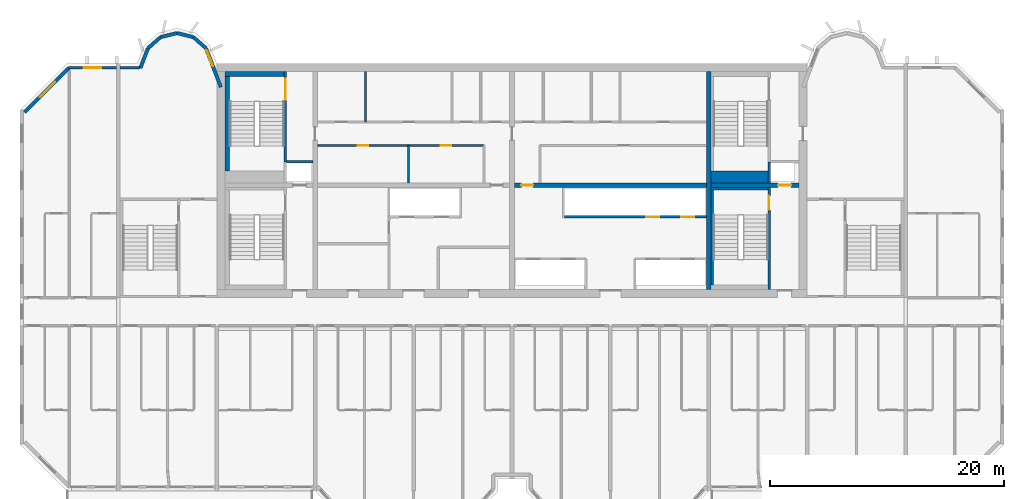
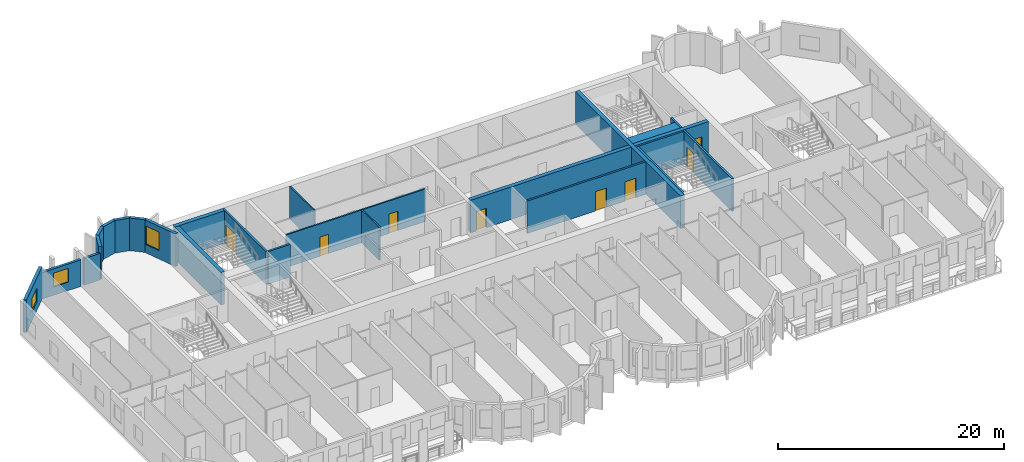
# One storey, part 7 of 13: 25 walls, 8 doors, 3 windows, 11 openings.
"""IFC4 building model written with IfcOpenShell, lengths in metres."""

from ifc_helpers import new_model, si_unit, direction, frame, frame_2d, origin, place, context, subcontext, project, spatial, rectangle, extrude, source, transform, mapped, material, layer, layer_set, type_object, element, fill, save


model = new_model("IFC4")

# Units and contexts
model_context = context("Model", 3, precision=1e-05, world=origin(), true_north=direction((0.0, 1.0)))
body_context = subcontext(model_context, "Body", "Model", "MODEL_VIEW")
ifc_project = project(units=[si_unit("LENGTHUNIT", "METRE"), si_unit("AREAUNIT", "SQUARE_METRE"), si_unit("VOLUMEUNIT", "CUBIC_METRE"), si_unit("PLANEANGLEUNIT", "RADIAN"), si_unit("MASSUNIT", "GRAM", prefix="KILO")], contexts=[model_context])

# Site, building, storey
site_placement = place(None, origin())
site = spatial("IfcSite", under=ifc_project, at=site_placement, CompositionType="ELEMENT")
building_placement = place(site_placement, origin())
building = spatial("IfcBuilding", under=site, at=building_placement, Name="Vanashikhar Sky Hotel", CompositionType="ELEMENT")
storey_placement = place(building_placement, frame((0.0, 0.0, 182.0)))
storey = spatial("IfcBuildingStorey", under=building, at=storey_placement, Name="L44", CompositionType="ELEMENT", Elevation=182.0)

# Wall
ifc_material_1 = material(Name="Concrete M60", Category="concrete")
ifc_layer_1 = layer(ifc_material_1, 0.39990234375)
ifc_layer_set_1 = layer_set([ifc_layer_1], Name="RC core inner wall 400 Concrete M60")
wall_type_1 = type_object("IfcWallType", Name="RC core inner wall 400 Concrete M60", PredefinedType="SHEAR", material=ifc_layer_set_1)
shared_shape_1 = source(origin(), body_context, "Body", "SweptSolid", [
    extrude(rectangle(XDim=18.60009765625, YDim=0.39990234375, at=frame_2d((9.300048828125, 0.0))), origin(), (0.0, 0.0, 1.0), 3.52001953125),
])
wall_1_placement = place(storey_placement, frame((67.199951171875, 22.699951171875, 0.0), z_axis=(0.0, 0.0, 1.0), x_axis=(0.0, 1.0, 0.0)))
element("IfcWall", 1, at=wall_1_placement, inside=storey, type_object=wall_type_1, Name="KW-L44-KX3", PredefinedType="SHEAR", context=body_context, shape_type="MappedRepresentation", body=[
    mapped(shared_shape_1, transform((0.0, 0.0, 0.0), scale=1.0)),
])

# Wall, opening, door
shared_shape_2 = source(origin(), body_context, "Body", "SweptSolid", [
    extrude(rectangle(XDim=7.5, YDim=0.39990234375, at=frame_2d((3.75, 0.0))), origin(), (0.0, 0.0, 1.0), 3.52001953125),
])
wall_2_placement = place(storey_placement, frame((67.39990234375, 31.60009765625, 0.0), z_axis=(0.0, 0.0, 1.0), x_axis=(1.0, 0.0, 0.0)))
wall_2 = element("IfcWall", 2, at=wall_2_placement, inside=storey, type_object=wall_type_1, Name="KW-L44-KY4", PredefinedType="SHEAR", context=body_context, shape_type="MappedRepresentation", body=[
    mapped(shared_shape_2, transform((0.0, 0.0, 0.0), scale=1.0)),
])
shared_shape_3 = source(origin(), body_context, "Body", "SweptSolid", [
    extrude(rectangle(XDim=1.10009765625, YDim=2.10009765625, at=frame_2d((0.550048828125, 1.050048828125))), frame((0.0, 0.2099609375, 0.0), z_axis=(0.0, -1.0, 0.0), x_axis=(1.0, 0.0, 0.0)), (0.0, 0.0, 1.0), 0.419921875),
])
opening_1_placement = place(wall_2_placement, frame((5.72509765625, 0.0, 0.0)))
opening_1 = element("IfcOpeningElement", 3, at=opening_1_placement, cuts=wall_2, Name="Opening LD", PredefinedType="OPENING", context=body_context, shape_type="MappedRepresentation", body=[
    mapped(shared_shape_3, transform((0.0, 0.0, 0.0), scale=1.0)),
])
ifc_material_2 = material(Name="Stainless steel", Category="steel")
door_type_1 = type_object("IfcDoorType", Name="Lift landing door 1100", OperationType="NOTDEFINED", PredefinedType="DOOR", material=ifc_material_2)
shared_shape_4 = source(origin(), body_context, "Body", "SweptSolid", [
    extrude(rectangle(XDim=1.10009765625, YDim=2.10009765625, at=frame_2d((0.550048828125, 1.050048828125))), frame((0.0, 0.02490234375, 0.0), z_axis=(0.0, -1.0, 0.0), x_axis=(1.0, 0.0, 0.0)), (0.0, 0.0, 1.0), 0.050048828125),
])
door_1_placement = place(opening_1_placement, origin())
door_1 = element("IfcDoor", 4, at=door_1_placement, inside=storey, type_object=door_type_1, Name="Lift landing door 1100", OperationType="SLIDING_TO_LEFT", OverallHeight=2.10009765625, OverallWidth=1.10009765625, PredefinedType="DOOR", context=body_context, shape_type="MappedRepresentation", body=[
    mapped(shared_shape_4, transform((0.0, 0.0, 0.0), scale=1.0)),
])
fill(opening_1, door_1)

shared_shape_5 = source(origin(), body_context, "Body", "SweptSolid", [
    extrude(rectangle(XDim=16.39990234375, YDim=0.39990234375, at=frame_2d((8.199951171875, 0.0))), origin(), (0.0, 0.0, 1.0), 3.52001953125),
])
wall_3_placement = place(storey_placement, frame((50.60009765625, 31.60009765625, 0.0), z_axis=(0.0, 0.0, 1.0), x_axis=(1.0, 0.0, 0.0)))
wall_3 = element("IfcWall", 5, at=wall_3_placement, inside=storey, type_object=wall_type_1, Name="KW-L44-KY3", PredefinedType="SHEAR", context=body_context, shape_type="MappedRepresentation", body=[
    mapped(shared_shape_5, transform((0.0, 0.0, 0.0), scale=1.0)),
])
shared_shape_6 = source(origin(), body_context, "Body", "SweptSolid", [
    extrude(rectangle(XDim=1.0, YDim=2.10009765625, at=frame_2d((0.5, 1.050048828125))), frame((0.0, 0.2099609375, 0.0), z_axis=(0.0, -1.0, 0.0), x_axis=(1.0, 0.0, 0.0)), (0.0, 0.0, 1.0), 0.419921875),
])
opening_2_placement = place(wall_3_placement, frame((0.60009765625, 0.0, 0.0)))
opening_2 = element("IfcOpeningElement", 6, at=opening_2_placement, cuts=wall_3, Name="Opening DC-4", PredefinedType="OPENING", context=body_context, shape_type="MappedRepresentation", body=[
    mapped(shared_shape_6, transform((0.0, 0.0, 0.0), scale=1.0)),
])
ifc_material_3 = material(Name="Steel", Category="steel")
door_type_2 = type_object("IfcDoorType", Name="Service door 1000 FD60", OperationType="NOTDEFINED", PredefinedType="DOOR", material=ifc_material_3)
shared_shape_7 = source(origin(), body_context, "Body", "SweptSolid", [
    extrude(rectangle(XDim=1.0, YDim=2.10009765625, at=frame_2d((0.5, 1.050048828125))), frame((0.0, 0.02490234375, 0.0), z_axis=(0.0, -1.0, 0.0), x_axis=(1.0, 0.0, 0.0)), (0.0, 0.0, 1.0), 0.050048828125),
])
door_2_placement = place(opening_2_placement, origin())
door_2 = element("IfcDoor", 7, at=door_2_placement, inside=storey, type_object=door_type_2, Name="Service door 1000 FD60", OperationType="SINGLE_SWING_RIGHT", OverallHeight=2.10009765625, OverallWidth=1.0, PredefinedType="DOOR", context=body_context, shape_type="MappedRepresentation", body=[
    mapped(shared_shape_7, transform((0.0, 0.0, 0.0), scale=1.0)),
])
fill(opening_2, door_2)

# Wall, opening, window
ifc_material_4 = material(Name="Concrete M50", Category="concrete")
ifc_layer_2 = layer(ifc_material_4, 0.300048828125)
ifc_layer_set_2 = layer_set([ifc_layer_2], Name="Lobe wall 300")
wall_type_2 = type_object("IfcWallType", Name="Lobe wall 300", PredefinedType="SOLIDWALL", material=ifc_layer_set_2)
shared_shape_8 = source(origin(), body_context, "Body", "SweptSolid", [
    extrude(rectangle(XDim=5.32568359375, YDim=0.300048828125, at=frame_2d((2.662841796875, 0.0))), origin(), (0.0, 0.0, 1.0), 3.52001953125),
])
wall_4_placement = place(storey_placement, frame((12.565673828125, 41.60009765625, 0.0), z_axis=(0.0, 0.0, 1.0), x_axis=(-0.707083859269, -0.707129702361, 0.0)))
wall_4 = element("IfcWall", 8, at=wall_4_placement, inside=storey, type_object=wall_type_2, Name="Corner wall", PredefinedType="SOLIDWALL", context=body_context, shape_type="MappedRepresentation", body=[
    mapped(shared_shape_8, transform((0.0, 0.0, 0.0), scale=1.0)),
])
shared_shape_9 = source(origin(), body_context, "Body", "SweptSolid", [
    extrude(rectangle(XDim=1.800048828125, YDim=1.5, at=frame_2d((0.89990234375, 0.75))), frame((0.0, 0.16015625, 0.0), z_axis=(0.0, -1.0, 0.0), x_axis=(1.0, 0.0, 0.0)), (0.0, 0.0, 1.0), 0.320068359375),
])
opening_3_placement = place(wall_4_placement, frame((1.689453125, 0.0, 0.89990234375)))
opening_3 = element("IfcOpeningElement", 9, at=opening_3_placement, cuts=wall_4, Name="Opening WN-4", PredefinedType="OPENING", context=body_context, shape_type="MappedRepresentation", body=[
    mapped(shared_shape_9, transform((0.0, 0.0, 0.0), scale=1.0)),
])
ifc_material_5 = material(Name="Glass", Category="glass")
window_type_1 = type_object("IfcWindowType", Name="Corner window 1800 x 1500", PartitioningType="SINGLE_PANEL", PredefinedType="WINDOW", material=ifc_material_5)
shared_shape_10 = source(origin(), body_context, "Body", "SweptSolid", [
    extrude(rectangle(XDim=1.800048828125, YDim=1.5, at=frame_2d((0.89990234375, 0.75))), frame((0.0, 0.030029296875, 0.0), z_axis=(0.0, -1.0, 0.0), x_axis=(1.0, 0.0, 0.0)), (0.0, 0.0, 1.0), 0.06005859375),
])
window_1_placement = place(opening_3_placement, origin())
window_1 = element("IfcWindow", 10, at=window_1_placement, inside=storey, type_object=window_type_1, Name="Window WN-4", OverallHeight=1.5, OverallWidth=1.800048828125, PartitioningType="SINGLE_PANEL", PredefinedType="WINDOW", context=body_context, shape_type="MappedRepresentation", body=[
    mapped(shared_shape_10, transform((0.0, 0.0, 0.0), scale=1.0)),
])
fill(opening_3, window_1)

shared_shape_11 = source(origin(), body_context, "Body", "SweptSolid", [
    extrude(rectangle(XDim=3.55908203125, YDim=0.300048828125, at=frame_2d((1.779541015625, 0.0))), origin(), (0.0, 0.0, 1.0), 3.52001953125),
])
wall_5_placement = place(storey_placement, frame((25.550048828125, 39.968505859375, 0.0), z_axis=(0.0, 0.0, 1.0), x_axis=(-0.35779745313, 0.933799219604, 0.0)))
wall_5 = element("IfcWall", 11, at=wall_5_placement, inside=storey, type_object=wall_type_2, Name="Lobe wall", PredefinedType="SOLIDWALL", context=body_context, shape_type="MappedRepresentation", body=[
    mapped(shared_shape_11, transform((0.0, 0.0, 0.0), scale=1.0)),
])
shared_shape_12 = source(origin(), body_context, "Body", "SweptSolid", [
    extrude(rectangle(XDim=1.5, YDim=2.0, at=frame_2d((0.75, 1.0))), frame((0.0, 0.16015625, 0.0), z_axis=(0.0, -1.0, 0.0), x_axis=(1.0, 0.0, 0.0)), (0.0, 0.0, 1.0), 0.320068359375),
])
opening_4_placement = place(wall_5_placement, frame((1.9033203125, 0.0, 0.89990234375)))
opening_4 = element("IfcOpeningElement", 12, at=opening_4_placement, cuts=wall_5, Name="Opening WN-2", PredefinedType="OPENING", context=body_context, shape_type="MappedRepresentation", body=[
    mapped(shared_shape_12, transform((0.0, 0.0, 0.0), scale=1.0)),
])
window_type_2 = type_object("IfcWindowType", Name="Lobe window 1500 x 2000", PartitioningType="SINGLE_PANEL", PredefinedType="WINDOW", material=ifc_material_5)
shared_shape_13 = source(origin(), body_context, "Body", "SweptSolid", [
    extrude(rectangle(XDim=1.5, YDim=2.0, at=frame_2d((0.75, 1.0))), frame((0.0, 0.030029296875, 0.0), z_axis=(0.0, -1.0, 0.0), x_axis=(1.0, 0.0, 0.0)), (0.0, 0.0, 1.0), 0.06005859375),
])
window_2_placement = place(opening_4_placement, origin())
window_2 = element("IfcWindow", 13, at=window_2_placement, inside=storey, type_object=window_type_2, Name="Window WN-2", OverallHeight=2.0, OverallWidth=1.5, PartitioningType="SINGLE_PANEL", PredefinedType="WINDOW", context=body_context, shape_type="MappedRepresentation", body=[
    mapped(shared_shape_13, transform((0.0, 0.0, 0.0), scale=1.0)),
])
fill(opening_4, window_2)

# Walls
shared_shape_14 = source(origin(), body_context, "Body", "SweptSolid", [
    extrude(rectangle(XDim=1.440185546875, YDim=0.300048828125, at=frame_2d((0.72021484375, 0.0))), origin(), (0.0, 0.0, 1.0), 3.52001953125),
])
wall_6_placement = place(storey_placement, frame((24.276611328125, 43.2919921875, 0.0), z_axis=(0.0, 0.0, 1.0), x_axis=(-0.749649827867, 0.661834673902, 0.0)))
element("IfcWall", 14, at=wall_6_placement, inside=storey, type_object=wall_type_2, Name="Lobe wall", PredefinedType="SOLIDWALL", context=body_context, shape_type="MappedRepresentation", body=[
    mapped(shared_shape_14, transform((0.0, 0.0, 0.0), scale=1.0)),
])
shared_shape_15 = source(origin(), body_context, "Body", "SweptSolid", [
    extrude(rectangle(XDim=1.4384765625, YDim=0.300048828125, at=frame_2d((0.71923828125, 0.0))), origin(), (0.0, 0.0, 1.0), 3.52001953125),
])
wall_7_placement = place(storey_placement, frame((23.197021484375, 44.2451171875, 0.0), z_axis=(0.0, 0.0, 1.0), x_axis=(-0.971152283879, 0.238460146601, 0.0)))
element("IfcWall", 15, at=wall_7_placement, inside=storey, type_object=wall_type_2, Name="Lobe wall", PredefinedType="SOLIDWALL", context=body_context, shape_type="MappedRepresentation", body=[
    mapped(shared_shape_15, transform((0.0, 0.0, 0.0), scale=1.0)),
])
shared_shape_16 = source(origin(), body_context, "Body", "SweptSolid", [
    extrude(rectangle(XDim=1.438720703125, YDim=0.300048828125, at=frame_2d((0.71923828125, 0.0))), origin(), (0.0, 0.0, 1.0), 3.52001953125),
])
wall_8_placement = place(storey_placement, frame((21.800048828125, 44.588134765625, 0.0), z_axis=(0.0, 0.0, 1.0), x_axis=(-0.971161932466, -0.238420848351, 0.0)))
element("IfcWall", 16, at=wall_8_placement, inside=storey, type_object=wall_type_2, Name="Lobe wall", PredefinedType="SOLIDWALL", context=body_context, shape_type="MappedRepresentation", body=[
    mapped(shared_shape_16, transform((0.0, 0.0, 0.0), scale=1.0)),
])
shared_shape_17 = source(origin(), body_context, "Body", "SweptSolid", [
    extrude(rectangle(XDim=1.43994140625, YDim=0.300048828125, at=frame_2d((0.719970703125, 0.0))), origin(), (0.0, 0.0, 1.0), 3.52001953125),
])
wall_9_placement = place(storey_placement, frame((20.40283203125, 44.2451171875, 0.0), z_axis=(0.0, 0.0, 1.0), x_axis=(-0.74957555648, -0.661918790432, 0.0)))
element("IfcWall", 17, at=wall_9_placement, inside=storey, type_object=wall_type_2, Name="Lobe wall", PredefinedType="SOLIDWALL", context=body_context, shape_type="MappedRepresentation", body=[
    mapped(shared_shape_17, transform((0.0, 0.0, 0.0), scale=1.0)),
])
shared_shape_18 = source(origin(), body_context, "Body", "SweptSolid", [
    extrude(rectangle(XDim=1.81201171875, YDim=0.300048828125, at=frame_2d((0.906005859375, 0.0))), origin(), (0.0, 0.0, 1.0), 3.52001953125),
])
wall_10_placement = place(storey_placement, frame((19.323486328125, 43.2919921875, 0.0), z_axis=(0.0, 0.0, 1.0), x_axis=(-0.357877270961, -0.93376863244, 0.0)))
element("IfcWall", 18, at=wall_10_placement, inside=storey, type_object=wall_type_2, Name="Lobe wall", PredefinedType="SOLIDWALL", context=body_context, shape_type="MappedRepresentation", body=[
    mapped(shared_shape_18, transform((0.0, 0.0, 0.0), scale=1.0)),
])

# Wall, opening, window
ifc_layer_3 = layer(ifc_material_4, 0.25)
ifc_layer_set_3 = layer_set([ifc_layer_3], Name="Rear and end board-marked wall 250")
wall_type_3 = type_object("IfcWallType", Name="Rear and end board-marked wall 250", PredefinedType="SOLIDWALL", material=ifc_layer_set_3)
shared_shape_19 = source(origin(), body_context, "Body", "SweptSolid", [
    extrude(rectangle(XDim=4.094482421875, YDim=0.25, at=frame_2d((2.04736328125, 0.0))), origin(), (0.0, 0.0, 1.0), 2.8701171875),
])
wall_11_placement = place(storey_placement, frame((16.64990234375, 41.625, 0.0), z_axis=(0.0, 0.0, 1.0), x_axis=(-1.0, 0.0, 0.0)))
wall_11 = element("IfcWall", 19, at=wall_11_placement, inside=storey, type_object=wall_type_3, Name="Rear board-marked wall", PredefinedType="SOLIDWALL", context=body_context, shape_type="MappedRepresentation", body=[
    mapped(shared_shape_19, transform((0.0, 0.0, 0.0), scale=1.0)),
])
shared_shape_20 = source(origin(), body_context, "Body", "SweptSolid", [
    extrude(rectangle(XDim=1.5, YDim=1.5, at=frame_2d((0.75, 0.75))), frame((0.0, 0.135009765625, 0.0), z_axis=(0.0, -1.0, 0.0), x_axis=(1.0, 0.0, 0.0)), (0.0, 0.0, 1.0), 0.27001953125),
])
opening_5_placement = place(wall_11_placement, frame((1.29736328125, 0.0, 0.89990234375)))
opening_5 = element("IfcOpeningElement", 20, at=opening_5_placement, cuts=wall_11, Name="Opening WN-1", PredefinedType="OPENING", context=body_context, shape_type="MappedRepresentation", body=[
    mapped(shared_shape_20, transform((0.0, 0.0, 0.0), scale=1.0)),
])
window_type_3 = type_object("IfcWindowType", Name="Window 1500 x 1500", PartitioningType="SINGLE_PANEL", PredefinedType="WINDOW", material=ifc_material_5)
shared_shape_21 = source(origin(), body_context, "Body", "SweptSolid", [
    extrude(rectangle(XDim=1.5, YDim=1.5, at=frame_2d((0.75, 0.75))), frame((0.0, 0.030029296875, 0.0), z_axis=(0.0, -1.0, 0.0), x_axis=(1.0, 0.0, 0.0)), (0.0, 0.0, 1.0), 0.06005859375),
])
window_3_placement = place(opening_5_placement, origin())
window_3 = element("IfcWindow", 21, at=window_3_placement, inside=storey, type_object=window_type_3, Name="Window WN-1", OverallHeight=1.5, OverallWidth=1.5, PartitioningType="SINGLE_PANEL", PredefinedType="WINDOW", context=body_context, shape_type="MappedRepresentation", body=[
    mapped(shared_shape_21, transform((0.0, 0.0, 0.0), scale=1.0)),
])
fill(opening_5, window_3)

# Walls
shared_shape_22 = source(origin(), body_context, "Body", "SweptSolid", [
    extrude(rectangle(XDim=1.7080078125, YDim=0.25, at=frame_2d((0.85400390625, 0.0))), origin(), (0.0, 0.0, 1.0), 2.8701171875),
])
wall_12_placement = place(storey_placement, frame((18.657958984375, 41.625, 0.0), z_axis=(0.0, 0.0, 1.0), x_axis=(-1.0, 0.0, 0.0)))
element("IfcWall", 22, at=wall_12_placement, inside=storey, type_object=wall_type_3, Name="Rear board-marked wall", PredefinedType="SOLIDWALL", context=body_context, shape_type="MappedRepresentation", body=[
    mapped(shared_shape_22, transform((0.0, 0.0, 0.0), scale=1.0)),
])
ifc_material_6 = material(Name="Concrete M40", Category="concrete")
ifc_layer_4 = layer(ifc_material_6, 0.199951171875)
ifc_layer_set_4 = layer_set([ifc_layer_4], Name="Shaft wall 200")
wall_type_4 = type_object("IfcWallType", Name="Shaft wall 200", PredefinedType="SOLIDWALL", material=ifc_layer_set_4)
shared_shape_23 = source(origin(), body_context, "Body", "SweptSolid", [
    extrude(rectangle(XDim=2.25, YDim=0.199951171875, at=frame_2d((1.125, 0.0))), origin(), (0.0, 0.0, 1.0), 3.52001953125),
])
wall_13_placement = place(storey_placement, frame((31.14990234375, 33.60009765625, 0.0), z_axis=(0.0, 0.0, 1.0), x_axis=(1.0, 0.0, 0.0)))
element("IfcWall", 23, at=wall_13_placement, inside=storey, type_object=wall_type_4, Name="Shaft wall 200", PredefinedType="SOLIDWALL", context=body_context, shape_type="MappedRepresentation", body=[
    mapped(shared_shape_23, transform((0.0, 0.0, 0.0), scale=1.0)),
])
ifc_layer_5 = layer(ifc_material_4, 0.199951171875)
ifc_layer_set_5 = layer_set([ifc_layer_5], Name="Stair infill wall 200")
wall_type_5 = type_object("IfcWallType", Name="Stair infill wall 200", PredefinedType="SOLIDWALL", material=ifc_layer_set_5)
shared_shape_24 = source(origin(), body_context, "Body", "SweptSolid", [
    extrude(rectangle(XDim=8.099853515625, YDim=0.199951171875, at=frame_2d((4.0498046875, 0.0))), origin(), (0.0, 0.0, 1.0), 3.52001953125),
])
wall_14_placement = place(storey_placement, frame((67.5, 23.10009765625, 0.0), z_axis=(0.0, 0.0, 1.0), x_axis=(0.0, 1.0, 0.0)))
element("IfcWall", 24, at=wall_14_placement, inside=storey, type_object=wall_type_5, Name="Stair infill wall 200", PredefinedType="SOLIDWALL", context=body_context, shape_type="MappedRepresentation", body=[
    mapped(shared_shape_24, transform((0.0, 0.0, 0.0), scale=1.0)),
])
ifc_material_7 = material(Name="Gypsum board partition")
ifc_layer_6 = layer(ifc_material_7, 0.14990234375)
ifc_layer_set_6 = layer_set([ifc_layer_6], Name="Service partition 150")
wall_type_6 = type_object("IfcWallType", Name="Service partition 150", PredefinedType="PARTITIONING", material=ifc_layer_set_6)
shared_shape_25 = source(origin(), body_context, "Body", "SweptSolid", [
    extrude(rectangle(XDim=3.199951171875, YDim=0.14990234375, at=frame_2d((1.60009765625, 0.0))), origin(), (0.0, 0.0, 1.0), 3.52001953125),
])
wall_15_placement = place(storey_placement, frame((41.569091796875, 31.800048828125, 0.0), z_axis=(0.0, 0.0, 1.0), x_axis=(0.0, 1.0, 0.0)))
element("IfcWall", 25, at=wall_15_placement, inside=storey, type_object=wall_type_6, Name="Service partition 150", PredefinedType="PARTITIONING", context=body_context, shape_type="MappedRepresentation", body=[
    mapped(shared_shape_25, transform((0.0, 0.0, 0.0), scale=1.0)),
])

# Wall, openings, doors
shared_shape_26 = source(origin(), body_context, "Body", "SweptSolid", [
    extrude(rectangle(XDim=14.199951171875, YDim=0.14990234375, at=frame_2d((7.10009765625, 0.0))), origin(), (0.0, 0.0, 1.0), 3.52001953125),
])
wall_16_placement = place(storey_placement, frame((33.800048828125, 35.0, 0.0), z_axis=(0.0, 0.0, 1.0), x_axis=(1.0, 0.0, 0.0)))
wall_16 = element("IfcWall", 26, at=wall_16_placement, inside=storey, type_object=wall_type_6, Name="Service partition 150", PredefinedType="PARTITIONING", context=body_context, shape_type="MappedRepresentation", body=[
    mapped(shared_shape_26, transform((0.0, 0.0, 0.0), scale=1.0)),
])
shared_shape_27 = source(origin(), body_context, "Body", "SweptSolid", [
    extrude(rectangle(XDim=0.89990234375, YDim=2.10009765625, at=frame_2d((0.449951171875, 1.050048828125))), frame((0.0, 0.0849609375, 0.0), z_axis=(0.0, -1.0, 0.0), x_axis=(1.0, 0.0, 0.0)), (0.0, 0.0, 1.0), 0.169921875),
])
opening_6_placement = place(wall_16_placement, frame((3.43408203125, 0.0, 0.0)))
opening_6 = element("IfcOpeningElement", 27, at=opening_6_placement, cuts=wall_16, Name="Opening DC-4-A", PredefinedType="OPENING", context=body_context, shape_type="MappedRepresentation", body=[
    mapped(shared_shape_27, transform((0.0, 0.0, 0.0), scale=1.0)),
])
opening_7_placement = place(wall_16_placement, frame((10.4970703125, 0.0, 0.0)))
opening_7 = element("IfcOpeningElement", 28, at=opening_7_placement, cuts=wall_16, Name="Opening DC-4-A", PredefinedType="OPENING", context=body_context, shape_type="MappedRepresentation", body=[
    mapped(shared_shape_27, transform((0.0, 0.0, 0.0), scale=1.0)),
])
door_type_3 = type_object("IfcDoorType", Name="Service door 900 FD60", OperationType="NOTDEFINED", PredefinedType="DOOR", material=ifc_material_3)
shared_shape_28 = source(origin(), body_context, "Body", "SweptSolid", [
    extrude(rectangle(XDim=0.89990234375, YDim=2.10009765625, at=frame_2d((0.449951171875, 1.050048828125))), frame((0.0, 0.02490234375, 0.0), z_axis=(0.0, -1.0, 0.0), x_axis=(1.0, 0.0, 0.0)), (0.0, 0.0, 1.0), 0.050048828125),
])
door_3_placement = place(opening_6_placement, origin())
door_3 = element("IfcDoor", 29, at=door_3_placement, inside=storey, type_object=door_type_3, Name="Service door 900 FD60", OperationType="SINGLE_SWING_LEFT", OverallHeight=2.10009765625, OverallWidth=0.89990234375, PredefinedType="DOOR", context=body_context, shape_type="MappedRepresentation", body=[
    mapped(shared_shape_28, transform((0.0, 0.0, 0.0), scale=1.0)),
])
fill(opening_6, door_3)
door_4_placement = place(opening_7_placement, origin())
door_4 = element("IfcDoor", 30, at=door_4_placement, inside=storey, type_object=door_type_3, Name="Service door 900 FD60", OperationType="SINGLE_SWING_RIGHT", OverallHeight=2.10009765625, OverallWidth=0.89990234375, PredefinedType="DOOR", context=body_context, shape_type="MappedRepresentation", body=[
    mapped(shared_shape_28, transform((0.0, 0.0, 0.0), scale=1.0)),
])
fill(opening_7, door_4)

# Wall
shared_shape_29 = source(origin(), body_context, "Body", "SweptSolid", [
    extrude(rectangle(XDim=4.300048828125, YDim=0.14990234375, at=frame_2d((2.14990234375, 0.0))), origin(), (0.0, 0.0, 1.0), 3.52001953125),
])
wall_17_placement = place(storey_placement, frame((37.89990234375, 37.0, 0.0), z_axis=(0.0, 0.0, 1.0), x_axis=(0.0, 1.0, 0.0)))
element("IfcWall", 31, at=wall_17_placement, inside=storey, type_object=wall_type_6, Name="Service partition 150", PredefinedType="PARTITIONING", context=body_context, shape_type="MappedRepresentation", body=[
    mapped(shared_shape_29, transform((0.0, 0.0, 0.0), scale=1.0)),
])

# Wall, openings, doors
shared_shape_30 = source(origin(), body_context, "Body", "SweptSolid", [
    extrude(rectangle(XDim=12.10009765625, YDim=0.199951171875, at=frame_2d((6.050048828125, 0.0))), origin(), (0.0, 0.0, 1.0), 3.52001953125),
])
wall_18_placement = place(storey_placement, frame((67.0, 28.89990234375, 0.0), z_axis=(0.0, 0.0, 1.0), x_axis=(-1.0, 0.0, 0.0)))
wall_18 = element("IfcWall", 32, at=wall_18_placement, inside=storey, type_object=wall_type_4, Name="Shaft wall 200", PredefinedType="SOLIDWALL", context=body_context, shape_type="MappedRepresentation", body=[
    mapped(shared_shape_30, transform((0.0, 0.0, 0.0), scale=1.0)),
])
shared_shape_31 = source(origin(), body_context, "Body", "SweptSolid", [
    extrude(rectangle(XDim=1.10009765625, YDim=2.10009765625, at=frame_2d((0.550048828125, 1.050048828125))), frame((0.0, 0.10986328125, 0.0), z_axis=(0.0, -1.0, 0.0), x_axis=(1.0, 0.0, 0.0)), (0.0, 0.0, 1.0), 0.219970703125),
])
opening_8_placement = place(wall_18_placement, frame((1.050048828125, 0.0, 0.0)))
opening_8 = element("IfcOpeningElement", 33, at=opening_8_placement, cuts=wall_18, Name="Opening LD", PredefinedType="OPENING", context=body_context, shape_type="MappedRepresentation", body=[
    mapped(shared_shape_31, transform((0.0, 0.0, 0.0), scale=1.0)),
])
opening_9_placement = place(wall_18_placement, frame((4.050048828125, 0.0, 0.0)))
opening_9 = element("IfcOpeningElement", 34, at=opening_9_placement, cuts=wall_18, Name="Opening LD", PredefinedType="OPENING", context=body_context, shape_type="MappedRepresentation", body=[
    mapped(shared_shape_31, transform((0.0, 0.0, 0.0), scale=1.0)),
])
door_5_placement = place(opening_8_placement, origin())
door_5 = element("IfcDoor", 35, at=door_5_placement, inside=storey, type_object=door_type_1, Name="Lift landing door 1100", OperationType="SLIDING_TO_RIGHT", OverallHeight=2.10009765625, OverallWidth=1.10009765625, PredefinedType="DOOR", context=body_context, shape_type="MappedRepresentation", body=[
    mapped(shared_shape_4, transform((0.0, 0.0, 0.0), scale=1.0)),
])
fill(opening_8, door_5)
door_6_placement = place(opening_9_placement, origin())
door_6 = element("IfcDoor", 36, at=door_6_placement, inside=storey, type_object=door_type_1, Name="Lift landing door 1100", OperationType="SLIDING_TO_LEFT", OverallHeight=2.10009765625, OverallWidth=1.10009765625, PredefinedType="DOOR", context=body_context, shape_type="MappedRepresentation", body=[
    mapped(shared_shape_4, transform((0.0, 0.0, 0.0), scale=1.0)),
])
fill(opening_9, door_6)

# Wall, opening, door
ifc_layer_7 = layer(ifc_material_4, 0.199951171875)
ifc_layer_set_7 = layer_set([ifc_layer_7], Name="Stair wall 200")
wall_type_7 = type_object("IfcWallType", Name="Stair wall 200", PredefinedType="SOLIDWALL", material=ifc_layer_set_7)
shared_shape_32 = source(origin(), body_context, "Body", "SweptSolid", [
    extrude(rectangle(XDim=8.699951171875, YDim=0.199951171875, at=frame_2d((4.35009765625, 0.0))), origin(), (0.0, 0.0, 1.0), 3.52001953125),
])
wall_19_placement = place(storey_placement, frame((72.35009765625, 22.699951171875, 0.0), z_axis=(0.0, 0.0, 1.0), x_axis=(0.0, 1.0, 0.0)))
wall_19 = element("IfcWall", 37, at=wall_19_placement, inside=storey, type_object=wall_type_7, Name="Stair wall 200", PredefinedType="SOLIDWALL", context=body_context, shape_type="MappedRepresentation", body=[
    mapped(shared_shape_32, transform((0.0, 0.0, 0.0), scale=1.0)),
])
shared_shape_33 = source(origin(), body_context, "Body", "SweptSolid", [
    extrude(rectangle(XDim=1.199951171875, YDim=2.10009765625, at=frame_2d((0.60009765625, 1.050048828125))), frame((0.0, 0.10986328125, 0.0), z_axis=(0.0, -1.0, 0.0), x_axis=(1.0, 0.0, 0.0)), (0.0, 0.0, 1.0), 0.219970703125),
])
opening_10_placement = place(wall_19_placement, frame((6.800048828125, 0.0, 0.0)))
opening_10 = element("IfcOpeningElement", 38, at=opening_10_placement, cuts=wall_19, Name="Opening DC-1", PredefinedType="OPENING", context=body_context, shape_type="MappedRepresentation", body=[
    mapped(shared_shape_33, transform((0.0, 0.0, 0.0), scale=1.0)),
])
door_type_4 = type_object("IfcDoorType", Name="Stair door 1200 FD120", OperationType="NOTDEFINED", PredefinedType="DOOR", material=ifc_material_3)
shared_shape_34 = source(origin(), body_context, "Body", "SweptSolid", [
    extrude(rectangle(XDim=1.199951171875, YDim=2.10009765625, at=frame_2d((0.60009765625, 1.050048828125))), frame((0.0, 0.02490234375, 0.0), z_axis=(0.0, -1.0, 0.0), x_axis=(1.0, 0.0, 0.0)), (0.0, 0.0, 1.0), 0.050048828125),
])
door_7_placement = place(opening_10_placement, origin())
door_7 = element("IfcDoor", 39, at=door_7_placement, inside=storey, type_object=door_type_4, Name="Stair door 1200 FD120", OperationType="SINGLE_SWING_RIGHT", OverallHeight=2.10009765625, OverallWidth=1.199951171875, PredefinedType="DOOR", context=body_context, shape_type="MappedRepresentation", body=[
    mapped(shared_shape_34, transform((0.0, 0.0, 0.0), scale=1.0)),
])
fill(opening_10, door_7)

# Wall
shared_shape_35 = source(origin(), body_context, "Body", "SweptSolid", [
    extrude(rectangle(XDim=1.800048828125, YDim=0.199951171875, at=frame_2d((0.89990234375, 0.0))), origin(), (0.0, 0.0, 1.0), 3.52001953125),
])
wall_20_placement = place(storey_placement, frame((72.35009765625, 31.800048828125, 0.0), z_axis=(0.0, 0.0, 1.0), x_axis=(0.0, 1.0, 0.0)))
element("IfcWall", 40, at=wall_20_placement, inside=storey, type_object=wall_type_4, Name="Shaft wall 200", PredefinedType="SOLIDWALL", context=body_context, shape_type="MappedRepresentation", body=[
    mapped(shared_shape_35, transform((0.0, 0.0, 0.0), scale=1.0)),
])

# Wall, opening, door
shared_shape_36 = source(origin(), body_context, "Body", "SweptSolid", [
    extrude(rectangle(XDim=7.699951171875, YDim=0.199951171875, at=frame_2d((3.85009765625, 0.0))), origin(), (0.0, 0.0, 1.0), 3.52001953125),
])
wall_21_placement = place(storey_placement, frame((31.050048828125, 33.60009765625, 0.0), z_axis=(0.0, 0.0, 1.0), x_axis=(0.0, 1.0, 0.0)))
wall_21 = element("IfcWall", 41, at=wall_21_placement, inside=storey, type_object=wall_type_7, Name="Stair wall 200", PredefinedType="SOLIDWALL", context=body_context, shape_type="MappedRepresentation", body=[
    mapped(shared_shape_36, transform((0.0, 0.0, 0.0), scale=1.0)),
])
shared_shape_37 = source(origin(), body_context, "Body", "SweptSolid", [
    extrude(rectangle(XDim=1.800048828125, YDim=2.10009765625, at=frame_2d((0.89990234375, 1.050048828125))), frame((0.0, 0.10986328125, 0.0), z_axis=(0.0, -1.0, 0.0), x_axis=(1.0, 0.0, 0.0)), (0.0, 0.0, 1.0), 0.219970703125),
])
opening_11_placement = place(wall_21_placement, frame((5.300048828125, 0.0, 0.0)))
opening_11 = element("IfcOpeningElement", 42, at=opening_11_placement, cuts=wall_21, Name="Opening DC-1-A", PredefinedType="OPENING", context=body_context, shape_type="MappedRepresentation", body=[
    mapped(shared_shape_37, transform((0.0, 0.0, 0.0), scale=1.0)),
])
door_type_5 = type_object("IfcDoorType", Name="Stair door 1800 FD120", OperationType="NOTDEFINED", PredefinedType="DOOR", material=ifc_material_3)
shared_shape_38 = source(origin(), body_context, "Body", "SweptSolid", [
    extrude(rectangle(XDim=1.800048828125, YDim=2.10009765625, at=frame_2d((0.89990234375, 1.050048828125))), frame((0.0, 0.02490234375, 0.0), z_axis=(0.0, -1.0, 0.0), x_axis=(1.0, 0.0, 0.0)), (0.0, 0.0, 1.0), 0.050048828125),
])
door_8_placement = place(opening_11_placement, origin())
door_8 = element("IfcDoor", 43, at=door_8_placement, inside=storey, type_object=door_type_5, Name="Stair door 1800 FD120", OperationType="SINGLE_SWING_RIGHT", OverallHeight=2.10009765625, OverallWidth=1.800048828125, PredefinedType="DOOR", context=body_context, shape_type="MappedRepresentation", body=[
    mapped(shared_shape_38, transform((0.0, 0.0, 0.0), scale=1.0)),
])
fill(opening_11, door_8)

# Walls
ifc_layer_8 = layer(ifc_material_4, 0.39990234375)
ifc_layer_set_8 = layer_set([ifc_layer_8], Name="Stair infill wall 400")
wall_type_8 = type_object("IfcWallType", Name="Stair infill wall 400", PredefinedType="SOLIDWALL", material=ifc_layer_set_8)
shared_shape_39 = source(origin(), body_context, "Body", "SweptSolid", [
    extrude(rectangle(XDim=5.050048828125, YDim=0.39990234375, at=frame_2d((2.52490234375, 0.0))), origin(), (0.0, 0.0, 1.0), 3.52001953125),
])
wall_22_placement = place(storey_placement, frame((25.89990234375, 41.10009765625, 0.0), z_axis=(0.0, 0.0, 1.0), x_axis=(1.0, 0.0, 0.0)))
element("IfcWall", 44, at=wall_22_placement, inside=storey, type_object=wall_type_8, Name="Stair infill wall 400", PredefinedType="SOLIDWALL", context=body_context, shape_type="MappedRepresentation", body=[
    mapped(shared_shape_39, transform((0.0, 0.0, 0.0), scale=1.0)),
])
shared_shape_40 = source(origin(), body_context, "Body", "SweptSolid", [
    extrude(rectangle(XDim=8.099853515625, YDim=0.39990234375, at=frame_2d((4.0498046875, 0.0))), origin(), (0.0, 0.0, 1.0), 3.52001953125),
])
wall_23_placement = place(storey_placement, frame((26.10009765625, 32.800048828125, 0.0), z_axis=(0.0, 0.0, 1.0), x_axis=(0.0, 1.0, 0.0)))
element("IfcWall", 45, at=wall_23_placement, inside=storey, type_object=wall_type_8, Name="Stair infill wall 400", PredefinedType="SOLIDWALL", context=body_context, shape_type="MappedRepresentation", body=[
    mapped(shared_shape_40, transform((0.0, 0.0, 0.0), scale=1.0)),
])
shared_shape_41 = source(origin(), body_context, "Body", "SweptSolid", [
    extrude(rectangle(XDim=4.85009765625, YDim=0.199951171875, at=frame_2d((2.425048828125, 0.0))), origin(), (0.0, 0.0, 1.0), 3.52001953125),
])
wall_24_placement = place(storey_placement, frame((67.39990234375, 31.300048828125, 0.0), z_axis=(0.0, 0.0, 1.0), x_axis=(1.0, 0.0, 0.0)))
element("IfcWall", 46, at=wall_24_placement, inside=storey, type_object=wall_type_5, Name="Stair infill wall 200", PredefinedType="SOLIDWALL", context=body_context, shape_type="MappedRepresentation", body=[
    mapped(shared_shape_41, transform((0.0, 0.0, 0.0), scale=1.0)),
])
ifc_layer_9 = layer(ifc_material_4, 1.0)
ifc_layer_set_9 = layer_set([ifc_layer_9], Name="Stair infill wall 1000")
wall_type_9 = type_object("IfcWallType", Name="Stair infill wall 1000", PredefinedType="SOLIDWALL", material=ifc_layer_set_9)
shared_shape_42 = source(origin(), body_context, "Body", "SweptSolid", [
    extrude(rectangle(XDim=4.85009765625, YDim=1.0, at=frame_2d((2.425048828125, 0.0))), origin(), (0.0, 0.0, 1.0), 3.52001953125),
])
wall_25_placement = place(storey_placement, frame((67.39990234375, 32.300048828125, 0.0), z_axis=(0.0, 0.0, 1.0), x_axis=(1.0, 0.0, 0.0)))
element("IfcWall", 47, at=wall_25_placement, inside=storey, type_object=wall_type_9, Name="Stair infill wall 1000", PredefinedType="SOLIDWALL", context=body_context, shape_type="MappedRepresentation", body=[
    mapped(shared_shape_42, transform((0.0, 0.0, 0.0), scale=1.0)),
])

save(model, "model.ifc")
